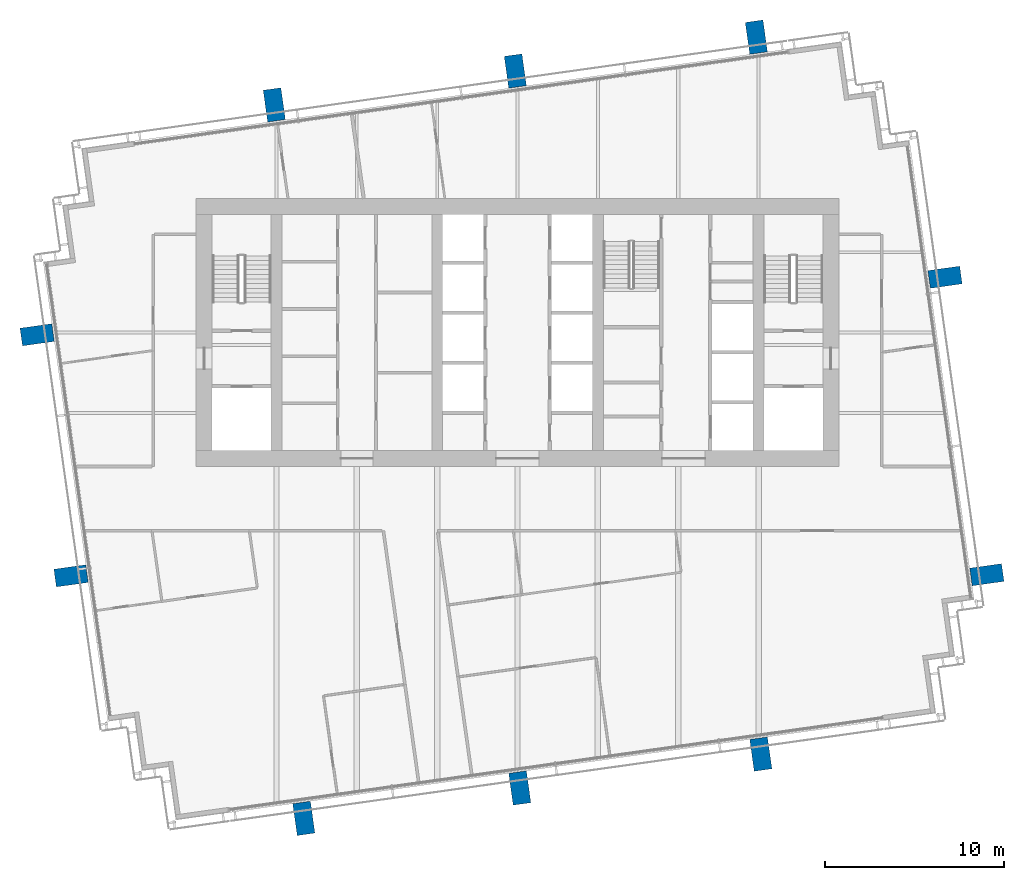
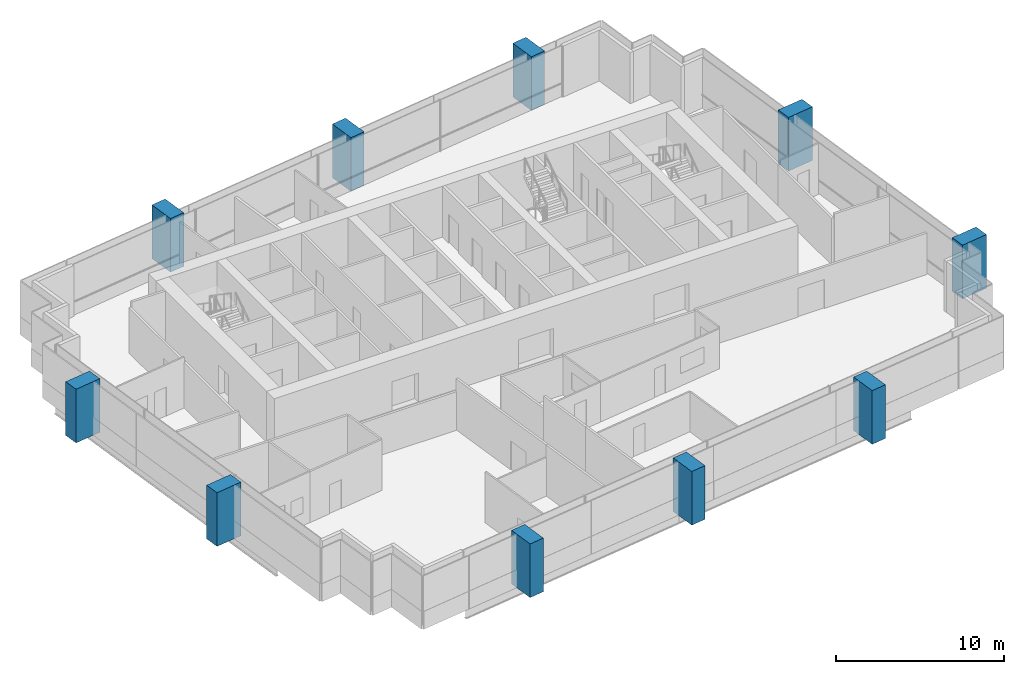
# One storey, part 1 of 15: 10 columns.
"""IFC4 building model written with IfcOpenShell, lengths in metres."""

from ifc_helpers import new_model, si_unit, direction, frame, origin, origin_2d, place, context, subcontext, project, spatial, rectangle, extrude, material, material_profile, profile_set, type_object, element, save


model = new_model("IFC4")

# Units and contexts
model_context = context("Model", 3, precision=1e-05, world=origin(), true_north=direction((0.0, 1.0)))
body_context = subcontext(model_context, "Body", "Model", "MODEL_VIEW")
ifc_project = project(units=[si_unit("LENGTHUNIT", "METRE"), si_unit("AREAUNIT", "SQUARE_METRE"), si_unit("VOLUMEUNIT", "CUBIC_METRE"), si_unit("PLANEANGLEUNIT", "RADIAN"), si_unit("MASSUNIT", "GRAM", prefix="KILO")], contexts=[model_context])

# Site, building, storey
site_placement = place(None, origin())
site = spatial("IfcSite", under=ifc_project, at=site_placement, CompositionType="ELEMENT")
building_placement = place(site_placement, origin())
building = spatial("IfcBuilding", under=site, at=building_placement, Name="Rattan Terrace Tower", CompositionType="ELEMENT")
storey_placement = place(building_placement, frame((0.0, 0.0, 262.89990234375)))
storey = spatial("IfcBuildingStorey", under=building, at=storey_placement, Name="L60", CompositionType="ELEMENT", Elevation=262.89990234375)

# Columns
ifc_material = material(Name="Concrete C40/50", Category="concrete")
ifc_material_profile = material_profile(ifc_material, rectangle(XDim=1.0, YDim=1.800048828125, at=origin_2d()), Name="CFT 1800x1000")
ifc_profile_set = profile_set([ifc_material_profile], Name="Concrete C40/50")
column_type = type_object("IfcColumnType", Name="Frame exoskeleton column CFT 1800x1000", PredefinedType="COLUMN", material=ifc_profile_set)
for number, where, z_axis, x_axis, name in (
    (1, (-11.970947265625, -27.208984375, -0.199951171875), (0.0, 0.0, 1.0), (0.990265639562, 0.139190384377, 0.0), "exo-L60-001"),
    (2, (0.125, -25.508056640625, -0.199951171875), (0.0, 0.0, 1.0), (0.990265639562, 0.139190384377, 0.0), "exo-L60-002"),
    (3, (13.625, -23.610107421875, -0.199951171875), (0.0, 0.0, 1.0), (0.990265639562, 0.139190384377, 0.0), "exo-L60-003"),
    (4, (-25.007080078125, -13.625, -0.199951171875), (0.0, 0.0, 1.0), (-0.139190384377, 0.990265639562, 0.0), "exo-L60-004"),
    (5, (26.283935546875, -13.56494140625, -0.199951171875), (0.0, 0.0, 1.0), (-0.139190384377, 0.990265639562, 0.0), "exo-L60-005"),
    (6, (-26.906005859375, -0.125, -0.199951171875), (0.0, 0.0, 1.0), (-0.139190384377, 0.990265639562, 0.0), "exo-L60-006"),
    (7, (23.94091796875, 3.10009765625, -0.199951171875), (0.0, 0.0, 1.0), (-0.139190384377, 0.990265639562, 0.0), "exo-L60-007"),
    (8, (-13.625, 12.7509765625, -0.199951171875), (0.0, 0.0, 1.0), (0.990265639562, 0.139190384377, 0.0), "exo-L60-008"),
    (9, (-0.125, 14.64794921875, -0.199951171875), (0.0, 0.0, 1.0), (0.990265639562, 0.139190384377, 0.0), "exo-L60-009"),
    (10, (13.375, 16.5458984375, -0.199951171875), (0.0, 0.0, 1.0), (0.990265639562, 0.139190384377, 0.0), "exo-L60-010"),
):
    element("IfcColumn", number, at=place(storey_placement, frame(where, z_axis=z_axis, x_axis=x_axis)), inside=storey, type_object=column_type, Name=name, PredefinedType="COLUMN", context=body_context, shape_type="SweptSolid", body=[
        extrude(rectangle(XDim=1.0, YDim=1.800048828125, at=origin_2d()), origin(), (0.0, 0.0, 1.0), 3.900146484375),
    ])

save(model, "model.ifc")
